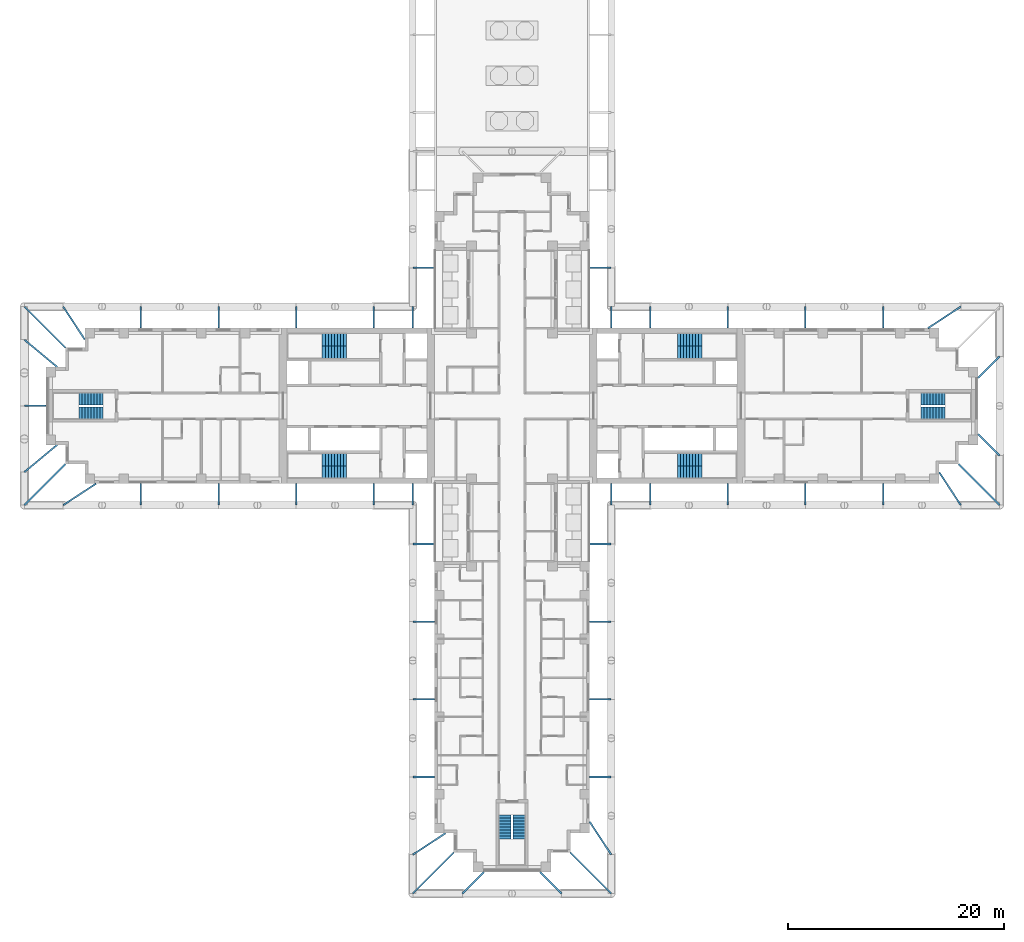
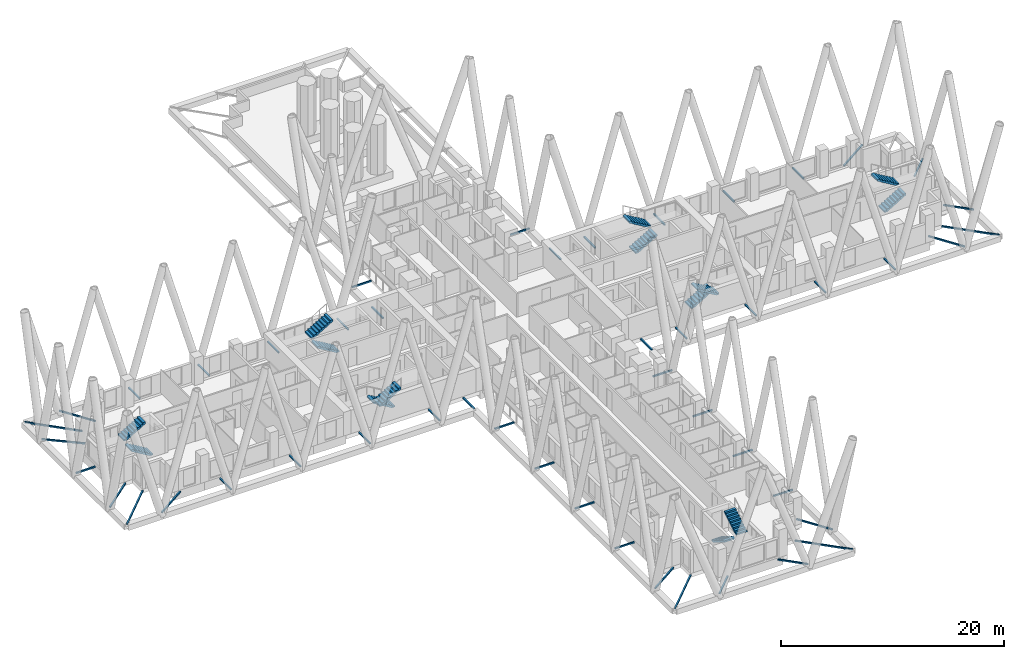
# One storey, part 13 of 16: 48 discrete accessories, 14 stair flights, 7 elements without a shape of their own.
"""IFC4 building model written with IfcOpenShell, lengths in metres."""

from ifc_helpers import new_model, si_unit, direction, frame, origin, origin_2d, place, context, subcontext, project, spatial, polyline, hollow_rectangle, outline, extrude, material, type_object, element, aggregate, save


model = new_model("IFC4")

# Units and contexts
model_context = context("Model", 3, precision=1e-05, world=origin(), true_north=direction((0.0, 1.0)))
body_context = subcontext(model_context, "Body", "Model", "MODEL_VIEW")
ifc_project = project(units=[si_unit("LENGTHUNIT", "METRE"), si_unit("AREAUNIT", "SQUARE_METRE"), si_unit("VOLUMEUNIT", "CUBIC_METRE"), si_unit("PLANEANGLEUNIT", "RADIAN"), si_unit("MASSUNIT", "GRAM", prefix="KILO")], contexts=[model_context])

# Site, building, storey
site_placement = place(None, origin())
site = spatial("IfcSite", under=ifc_project, at=site_placement, CompositionType="ELEMENT")
building_placement = place(site_placement, origin())
building = spatial("IfcBuilding", under=site, at=building_placement, Name="Fustian Cross Tower", CompositionType="ELEMENT")
storey_placement = place(building_placement, frame((0.0, 0.0, 66.89990234375)))
storey = spatial("IfcBuildingStorey", under=building, at=storey_placement, Name="L20", CompositionType="ELEMENT", Elevation=66.89990234375)

# Stair, stair flights
ifc_material_1 = material(Name="Concrete C50/60", Category="concrete")
stair_type_1 = type_object("IfcStairType", Name="STAIR 1100 HALF TURN", PredefinedType="HALF_TURN_STAIR", material=ifc_material_1)
stair_1_placement = place(storey_placement, origin())
stair_1 = element("IfcStair", 1, at=stair_1_placement, inside=storey, type_object=stair_type_1, Name="Stair ST6", PredefinedType="HALF_TURN_STAIR")
ifc_material_2 = material(Name="Concrete C50/60", Category="concrete")
stair_flight_type_1 = type_object("IfcStairFlightType", Name="STAIR FLIGHT 1100", PredefinedType="STRAIGHT", material=ifc_material_2)
stair_flight_1_placement = place(storey_placement, frame((-0.64990234375, -37.89990234375, 0.0), z_axis=(0.0, 0.0, 1.0), x_axis=(0.0, -1.0, 0.0)))
stair_flight_1 = element("IfcStairFlight", 2, at=stair_flight_1_placement, type_object=stair_flight_type_1, Name="ST6 flight 1", NumberOfRisers=9, NumberOfTreads=8, PredefinedType="STRAIGHT", RiserHeight=0.166666667, TreadLength=0.28, context=body_context, shape_type="SweptSolid", body=[
    extrude(outline(polyline([(0.0, 0.0), (0.0, 0.166748046875), (0.280029296875, 0.166748046875), (0.280029296875, 0.333251953125), (0.56005859375, 0.333251953125), (0.56005859375, 0.5), (0.840087890625, 0.5), (0.840087890625, 0.666748046875), (1.1201171875, 0.666748046875), (1.1201171875, 0.833251953125), (1.39990234375, 0.833251953125), (1.39990234375, 1.0), (1.679931640625, 1.0), (1.679931640625, 1.166748046875), (1.9599609375, 1.166748046875), (1.9599609375, 1.333251953125), (2.239990234375, 1.333251953125), (2.239990234375, 1.5), (2.239990234375, 1.158935546875), (0.29296875, 0.0), (0.0, 0.0)])), frame((0.0, 0.550048828125, 0.0), z_axis=(0.0, -1.0, 0.0), x_axis=(1.0, 0.0, 0.0)), (0.0, 0.0, 1.0), 1.10009765625),
])
stair_flight_2_placement = place(storey_placement, frame((0.64990234375, -40.139892578125, 1.5), z_axis=(0.0, 0.0, 1.0), x_axis=(0.0, 1.0, 0.0)))
stair_flight_2 = element("IfcStairFlight", 3, at=stair_flight_2_placement, type_object=stair_flight_type_1, Name="ST6 flight 2", NumberOfRisers=9, NumberOfTreads=8, PredefinedType="STRAIGHT", RiserHeight=0.166666667, TreadLength=0.28, context=body_context, shape_type="SweptSolid", body=[
    extrude(outline(polyline([(0.0, 0.0), (0.0, 0.166748046875), (0.280029296875, 0.166748046875), (0.280029296875, 0.333251953125), (0.56005859375, 0.333251953125), (0.56005859375, 0.5), (0.840087890625, 0.5), (0.840087890625, 0.666748046875), (1.1201171875, 0.666748046875), (1.1201171875, 0.833251953125), (1.39990234375, 0.833251953125), (1.39990234375, 1.0), (1.679931640625, 1.0), (1.679931640625, 1.166748046875), (1.9599609375, 1.166748046875), (1.9599609375, 1.333251953125), (2.239990234375, 1.333251953125), (2.239990234375, 1.5), (2.239990234375, 1.158935546875), (0.29296875, 0.0), (0.0, 0.0)])), frame((0.0, 0.550048828125, 0.0), z_axis=(0.0, -1.0, 0.0), x_axis=(1.0, 0.0, 0.0)), (0.0, 0.0, 1.0), 1.10009765625),
])
aggregate(stair_1, [stair_flight_1, stair_flight_2])

stair_2_placement = place(storey_placement, origin())
stair_2 = element("IfcStair", 4, at=stair_2_placement, inside=storey, type_object=stair_type_1, Name="Stair ST8", PredefinedType="HALF_TURN_STAIR")
stair_flight_3_placement = place(storey_placement, frame((37.89990234375, -0.64990234375, 0.0), z_axis=(0.0, 0.0, 1.0), x_axis=(1.0, 0.0, 0.0)))
stair_flight_3 = element("IfcStairFlight", 5, at=stair_flight_3_placement, type_object=stair_flight_type_1, Name="ST8 flight 1", NumberOfRisers=9, NumberOfTreads=8, PredefinedType="STRAIGHT", RiserHeight=0.166666667, TreadLength=0.28, context=body_context, shape_type="SweptSolid", body=[
    extrude(outline(polyline([(0.0, 0.0), (0.0, 0.166748046875), (0.280029296875, 0.166748046875), (0.280029296875, 0.333251953125), (0.56005859375, 0.333251953125), (0.56005859375, 0.5), (0.840087890625, 0.5), (0.840087890625, 0.666748046875), (1.1201171875, 0.666748046875), (1.1201171875, 0.833251953125), (1.39990234375, 0.833251953125), (1.39990234375, 1.0), (1.679931640625, 1.0), (1.679931640625, 1.166748046875), (1.9599609375, 1.166748046875), (1.9599609375, 1.333251953125), (2.239990234375, 1.333251953125), (2.239990234375, 1.5), (2.239990234375, 1.158935546875), (0.29296875, 0.0), (0.0, 0.0)])), frame((0.0, 0.550048828125, 0.0), z_axis=(0.0, -1.0, 0.0), x_axis=(1.0, 0.0, 0.0)), (0.0, 0.0, 1.0), 1.10009765625),
])
stair_flight_4_placement = place(storey_placement, frame((40.139892578125, 0.64990234375, 1.5), z_axis=(0.0, 0.0, 1.0), x_axis=(-1.0, 0.0, 0.0)))
stair_flight_4 = element("IfcStairFlight", 6, at=stair_flight_4_placement, type_object=stair_flight_type_1, Name="ST8 flight 2", NumberOfRisers=9, NumberOfTreads=8, PredefinedType="STRAIGHT", RiserHeight=0.166666667, TreadLength=0.28, context=body_context, shape_type="SweptSolid", body=[
    extrude(outline(polyline([(0.0, 0.0), (0.0, 0.166748046875), (0.280029296875, 0.166748046875), (0.280029296875, 0.333251953125), (0.56005859375, 0.333251953125), (0.56005859375, 0.5), (0.840087890625, 0.5), (0.840087890625, 0.666748046875), (1.1201171875, 0.666748046875), (1.1201171875, 0.833251953125), (1.39990234375, 0.833251953125), (1.39990234375, 1.0), (1.679931640625, 1.0), (1.679931640625, 1.166748046875), (1.9599609375, 1.166748046875), (1.9599609375, 1.333251953125), (2.239990234375, 1.333251953125), (2.239990234375, 1.5), (2.239990234375, 1.158935546875), (0.29296875, 0.0), (0.0, 0.0)])), frame((0.0, 0.550048828125, 0.0), z_axis=(0.0, -1.0, 0.0), x_axis=(1.0, 0.0, 0.0)), (0.0, 0.0, 1.0), 1.10009765625),
])
aggregate(stair_2, [stair_flight_3, stair_flight_4])

stair_3_placement = place(storey_placement, origin())
stair_3 = element("IfcStair", 7, at=stair_3_placement, inside=storey, type_object=stair_type_1, Name="Stair ST9", PredefinedType="HALF_TURN_STAIR")
stair_flight_5_placement = place(storey_placement, frame((-37.89990234375, -0.64990234375, 0.0), z_axis=(0.0, 0.0, 1.0), x_axis=(-1.0, 0.0, 0.0)))
stair_flight_5 = element("IfcStairFlight", 8, at=stair_flight_5_placement, type_object=stair_flight_type_1, Name="ST9 flight 1", NumberOfRisers=9, NumberOfTreads=8, PredefinedType="STRAIGHT", RiserHeight=0.166666667, TreadLength=0.28, context=body_context, shape_type="SweptSolid", body=[
    extrude(outline(polyline([(0.0, 0.0), (0.0, 0.166748046875), (0.280029296875, 0.166748046875), (0.280029296875, 0.333251953125), (0.56005859375, 0.333251953125), (0.56005859375, 0.5), (0.840087890625, 0.5), (0.840087890625, 0.666748046875), (1.1201171875, 0.666748046875), (1.1201171875, 0.833251953125), (1.39990234375, 0.833251953125), (1.39990234375, 1.0), (1.679931640625, 1.0), (1.679931640625, 1.166748046875), (1.9599609375, 1.166748046875), (1.9599609375, 1.333251953125), (2.239990234375, 1.333251953125), (2.239990234375, 1.5), (2.239990234375, 1.158935546875), (0.29296875, 0.0), (0.0, 0.0)])), frame((0.0, 0.550048828125, 0.0), z_axis=(0.0, -1.0, 0.0), x_axis=(1.0, 0.0, 0.0)), (0.0, 0.0, 1.0), 1.10009765625),
])
stair_flight_6_placement = place(storey_placement, frame((-40.139892578125, 0.64990234375, 1.5), z_axis=(0.0, 0.0, 1.0), x_axis=(1.0, 0.0, 0.0)))
stair_flight_6 = element("IfcStairFlight", 9, at=stair_flight_6_placement, type_object=stair_flight_type_1, Name="ST9 flight 2", NumberOfRisers=9, NumberOfTreads=8, PredefinedType="STRAIGHT", RiserHeight=0.166666667, TreadLength=0.28, context=body_context, shape_type="SweptSolid", body=[
    extrude(outline(polyline([(0.0, 0.0), (0.0, 0.166748046875), (0.280029296875, 0.166748046875), (0.280029296875, 0.333251953125), (0.56005859375, 0.333251953125), (0.56005859375, 0.5), (0.840087890625, 0.5), (0.840087890625, 0.666748046875), (1.1201171875, 0.666748046875), (1.1201171875, 0.833251953125), (1.39990234375, 0.833251953125), (1.39990234375, 1.0), (1.679931640625, 1.0), (1.679931640625, 1.166748046875), (1.9599609375, 1.166748046875), (1.9599609375, 1.333251953125), (2.239990234375, 1.333251953125), (2.239990234375, 1.5), (2.239990234375, 1.158935546875), (0.29296875, 0.0), (0.0, 0.0)])), frame((0.0, 0.550048828125, 0.0), z_axis=(0.0, -1.0, 0.0), x_axis=(1.0, 0.0, 0.0)), (0.0, 0.0, 1.0), 1.10009765625),
])
aggregate(stair_3, [stair_flight_5, stair_flight_6])

ifc_material_3 = material(Name="Concrete C50/60", Category="concrete")
stair_type_2 = type_object("IfcStairType", Name="STAIR 1150 HALF TURN", PredefinedType="HALF_TURN_STAIR", material=ifc_material_3)
stair_4_placement = place(storey_placement, origin())
stair_4 = element("IfcStair", 10, at=stair_4_placement, inside=storey, type_object=stair_type_2, Name="Stair ST1", PredefinedType="HALF_TURN_STAIR")
ifc_material_4 = material(Name="Concrete C50/60", Category="concrete")
stair_flight_type_2 = type_object("IfcStairFlightType", Name="STAIR FLIGHT 1150", PredefinedType="STRAIGHT", material=ifc_material_4)
stair_flight_7_placement = place(storey_placement, frame((15.35009765625, 4.97509765625, 0.0), z_axis=(0.0, 0.0, 1.0), x_axis=(1.0, 0.0, 0.0)))
stair_flight_7 = element("IfcStairFlight", 11, at=stair_flight_7_placement, type_object=stair_flight_type_2, Name="ST1 flight 1", NumberOfRisers=9, NumberOfTreads=8, PredefinedType="STRAIGHT", RiserHeight=0.166666667, TreadLength=0.28, context=body_context, shape_type="SweptSolid", body=[
    extrude(outline(polyline([(0.0, 0.0), (0.0, 0.166748046875), (0.280029296875, 0.166748046875), (0.280029296875, 0.333251953125), (0.56005859375, 0.333251953125), (0.56005859375, 0.5), (0.840087890625, 0.5), (0.840087890625, 0.666748046875), (1.1201171875, 0.666748046875), (1.1201171875, 0.833251953125), (1.39990234375, 0.833251953125), (1.39990234375, 1.0), (1.679931640625, 1.0), (1.679931640625, 1.166748046875), (1.9599609375, 1.166748046875), (1.9599609375, 1.333251953125), (2.239990234375, 1.333251953125), (2.239990234375, 1.5), (2.239990234375, 1.158935546875), (0.29296875, 0.0), (0.0, 0.0)])), frame((0.0, 0.574951171875, 0.0), z_axis=(0.0, -1.0, 0.0), x_axis=(1.0, 0.0, 0.0)), (0.0, 0.0, 1.0), 1.14990234375),
])
stair_flight_8_placement = place(storey_placement, frame((17.590087890625, 6.125, 1.5), z_axis=(0.0, 0.0, 1.0), x_axis=(-1.0, 0.0, 0.0)))
stair_flight_8 = element("IfcStairFlight", 12, at=stair_flight_8_placement, type_object=stair_flight_type_2, Name="ST1 flight 2", NumberOfRisers=9, NumberOfTreads=8, PredefinedType="STRAIGHT", RiserHeight=0.166666667, TreadLength=0.28, context=body_context, shape_type="SweptSolid", body=[
    extrude(outline(polyline([(0.0, 0.0), (0.0, 0.166748046875), (0.280029296875, 0.166748046875), (0.280029296875, 0.333251953125), (0.56005859375, 0.333251953125), (0.56005859375, 0.5), (0.840087890625, 0.5), (0.840087890625, 0.666748046875), (1.1201171875, 0.666748046875), (1.1201171875, 0.833251953125), (1.39990234375, 0.833251953125), (1.39990234375, 1.0), (1.679931640625, 1.0), (1.679931640625, 1.166748046875), (1.9599609375, 1.166748046875), (1.9599609375, 1.333251953125), (2.239990234375, 1.333251953125), (2.239990234375, 1.5), (2.239990234375, 1.158935546875), (0.29296875, 0.0), (0.0, 0.0)])), frame((0.0, 0.574951171875, 0.0), z_axis=(0.0, -1.0, 0.0), x_axis=(1.0, 0.0, 0.0)), (0.0, 0.0, 1.0), 1.14990234375),
])
aggregate(stair_4, [stair_flight_7, stair_flight_8])

stair_5_placement = place(storey_placement, origin())
stair_5 = element("IfcStair", 13, at=stair_5_placement, inside=storey, type_object=stair_type_2, Name="Stair ST2", PredefinedType="HALF_TURN_STAIR")
stair_flight_9_placement = place(storey_placement, frame((15.35009765625, -4.97509765625, 0.0), z_axis=(0.0, 0.0, 1.0), x_axis=(1.0, 0.0, 0.0)))
stair_flight_9 = element("IfcStairFlight", 14, at=stair_flight_9_placement, type_object=stair_flight_type_2, Name="ST2 flight 1", NumberOfRisers=9, NumberOfTreads=8, PredefinedType="STRAIGHT", RiserHeight=0.166666667, TreadLength=0.28, context=body_context, shape_type="SweptSolid", body=[
    extrude(outline(polyline([(0.0, 0.0), (0.0, 0.166748046875), (0.280029296875, 0.166748046875), (0.280029296875, 0.333251953125), (0.56005859375, 0.333251953125), (0.56005859375, 0.5), (0.840087890625, 0.5), (0.840087890625, 0.666748046875), (1.1201171875, 0.666748046875), (1.1201171875, 0.833251953125), (1.39990234375, 0.833251953125), (1.39990234375, 1.0), (1.679931640625, 1.0), (1.679931640625, 1.166748046875), (1.9599609375, 1.166748046875), (1.9599609375, 1.333251953125), (2.239990234375, 1.333251953125), (2.239990234375, 1.5), (2.239990234375, 1.158935546875), (0.29296875, 0.0), (0.0, 0.0)])), frame((0.0, 0.574951171875, 0.0), z_axis=(0.0, -1.0, 0.0), x_axis=(1.0, 0.0, 0.0)), (0.0, 0.0, 1.0), 1.14990234375),
])
stair_flight_10_placement = place(storey_placement, frame((17.590087890625, -6.125, 1.5), z_axis=(0.0, 0.0, 1.0), x_axis=(-1.0, 0.0, 0.0)))
stair_flight_10 = element("IfcStairFlight", 15, at=stair_flight_10_placement, type_object=stair_flight_type_2, Name="ST2 flight 2", NumberOfRisers=9, NumberOfTreads=8, PredefinedType="STRAIGHT", RiserHeight=0.166666667, TreadLength=0.28, context=body_context, shape_type="SweptSolid", body=[
    extrude(outline(polyline([(0.0, 0.0), (0.0, 0.166748046875), (0.280029296875, 0.166748046875), (0.280029296875, 0.333251953125), (0.56005859375, 0.333251953125), (0.56005859375, 0.5), (0.840087890625, 0.5), (0.840087890625, 0.666748046875), (1.1201171875, 0.666748046875), (1.1201171875, 0.833251953125), (1.39990234375, 0.833251953125), (1.39990234375, 1.0), (1.679931640625, 1.0), (1.679931640625, 1.166748046875), (1.9599609375, 1.166748046875), (1.9599609375, 1.333251953125), (2.239990234375, 1.333251953125), (2.239990234375, 1.5), (2.239990234375, 1.158935546875), (0.29296875, 0.0), (0.0, 0.0)])), frame((0.0, 0.574951171875, 0.0), z_axis=(0.0, -1.0, 0.0), x_axis=(1.0, 0.0, 0.0)), (0.0, 0.0, 1.0), 1.14990234375),
])
aggregate(stair_5, [stair_flight_9, stair_flight_10])

stair_6_placement = place(storey_placement, origin())
stair_6 = element("IfcStair", 16, at=stair_6_placement, inside=storey, type_object=stair_type_2, Name="Stair ST3", PredefinedType="HALF_TURN_STAIR")
stair_flight_11_placement = place(storey_placement, frame((-15.35009765625, 4.97509765625, 0.0), z_axis=(0.0, 0.0, 1.0), x_axis=(-1.0, 0.0, 0.0)))
stair_flight_11 = element("IfcStairFlight", 17, at=stair_flight_11_placement, type_object=stair_flight_type_2, Name="ST3 flight 1", NumberOfRisers=9, NumberOfTreads=8, PredefinedType="STRAIGHT", RiserHeight=0.166666667, TreadLength=0.28, context=body_context, shape_type="SweptSolid", body=[
    extrude(outline(polyline([(0.0, 0.0), (0.0, 0.166748046875), (0.280029296875, 0.166748046875), (0.280029296875, 0.333251953125), (0.56005859375, 0.333251953125), (0.56005859375, 0.5), (0.840087890625, 0.5), (0.840087890625, 0.666748046875), (1.1201171875, 0.666748046875), (1.1201171875, 0.833251953125), (1.39990234375, 0.833251953125), (1.39990234375, 1.0), (1.679931640625, 1.0), (1.679931640625, 1.166748046875), (1.9599609375, 1.166748046875), (1.9599609375, 1.333251953125), (2.239990234375, 1.333251953125), (2.239990234375, 1.5), (2.239990234375, 1.158935546875), (0.29296875, 0.0), (0.0, 0.0)])), frame((0.0, 0.574951171875, 0.0), z_axis=(0.0, -1.0, 0.0), x_axis=(1.0, 0.0, 0.0)), (0.0, 0.0, 1.0), 1.14990234375),
])
stair_flight_12_placement = place(storey_placement, frame((-17.590087890625, 6.125, 1.5), z_axis=(0.0, 0.0, 1.0), x_axis=(1.0, 0.0, 0.0)))
stair_flight_12 = element("IfcStairFlight", 18, at=stair_flight_12_placement, type_object=stair_flight_type_2, Name="ST3 flight 2", NumberOfRisers=9, NumberOfTreads=8, PredefinedType="STRAIGHT", RiserHeight=0.166666667, TreadLength=0.28, context=body_context, shape_type="SweptSolid", body=[
    extrude(outline(polyline([(0.0, 0.0), (0.0, 0.166748046875), (0.280029296875, 0.166748046875), (0.280029296875, 0.333251953125), (0.56005859375, 0.333251953125), (0.56005859375, 0.5), (0.840087890625, 0.5), (0.840087890625, 0.666748046875), (1.1201171875, 0.666748046875), (1.1201171875, 0.833251953125), (1.39990234375, 0.833251953125), (1.39990234375, 1.0), (1.679931640625, 1.0), (1.679931640625, 1.166748046875), (1.9599609375, 1.166748046875), (1.9599609375, 1.333251953125), (2.239990234375, 1.333251953125), (2.239990234375, 1.5), (2.239990234375, 1.158935546875), (0.29296875, 0.0), (0.0, 0.0)])), frame((0.0, 0.574951171875, 0.0), z_axis=(0.0, -1.0, 0.0), x_axis=(1.0, 0.0, 0.0)), (0.0, 0.0, 1.0), 1.14990234375),
])
aggregate(stair_6, [stair_flight_11, stair_flight_12])

stair_7_placement = place(storey_placement, origin())
stair_7 = element("IfcStair", 19, at=stair_7_placement, inside=storey, type_object=stair_type_2, Name="Stair ST4", PredefinedType="HALF_TURN_STAIR")
stair_flight_13_placement = place(storey_placement, frame((-15.35009765625, -4.97509765625, 0.0), z_axis=(0.0, 0.0, 1.0), x_axis=(-1.0, 0.0, 0.0)))
stair_flight_13 = element("IfcStairFlight", 20, at=stair_flight_13_placement, type_object=stair_flight_type_2, Name="ST4 flight 1", NumberOfRisers=9, NumberOfTreads=8, PredefinedType="STRAIGHT", RiserHeight=0.166666667, TreadLength=0.28, context=body_context, shape_type="SweptSolid", body=[
    extrude(outline(polyline([(0.0, 0.0), (0.0, 0.166748046875), (0.280029296875, 0.166748046875), (0.280029296875, 0.333251953125), (0.56005859375, 0.333251953125), (0.56005859375, 0.5), (0.840087890625, 0.5), (0.840087890625, 0.666748046875), (1.1201171875, 0.666748046875), (1.1201171875, 0.833251953125), (1.39990234375, 0.833251953125), (1.39990234375, 1.0), (1.679931640625, 1.0), (1.679931640625, 1.166748046875), (1.9599609375, 1.166748046875), (1.9599609375, 1.333251953125), (2.239990234375, 1.333251953125), (2.239990234375, 1.5), (2.239990234375, 1.158935546875), (0.29296875, 0.0), (0.0, 0.0)])), frame((0.0, 0.574951171875, 0.0), z_axis=(0.0, -1.0, 0.0), x_axis=(1.0, 0.0, 0.0)), (0.0, 0.0, 1.0), 1.14990234375),
])
stair_flight_14_placement = place(storey_placement, frame((-17.590087890625, -6.125, 1.5), z_axis=(0.0, 0.0, 1.0), x_axis=(1.0, 0.0, 0.0)))
stair_flight_14 = element("IfcStairFlight", 21, at=stair_flight_14_placement, type_object=stair_flight_type_2, Name="ST4 flight 2", NumberOfRisers=9, NumberOfTreads=8, PredefinedType="STRAIGHT", RiserHeight=0.166666667, TreadLength=0.28, context=body_context, shape_type="SweptSolid", body=[
    extrude(outline(polyline([(0.0, 0.0), (0.0, 0.166748046875), (0.280029296875, 0.166748046875), (0.280029296875, 0.333251953125), (0.56005859375, 0.333251953125), (0.56005859375, 0.5), (0.840087890625, 0.5), (0.840087890625, 0.666748046875), (1.1201171875, 0.666748046875), (1.1201171875, 0.833251953125), (1.39990234375, 0.833251953125), (1.39990234375, 1.0), (1.679931640625, 1.0), (1.679931640625, 1.166748046875), (1.9599609375, 1.166748046875), (1.9599609375, 1.333251953125), (2.239990234375, 1.333251953125), (2.239990234375, 1.5), (2.239990234375, 1.158935546875), (0.29296875, 0.0), (0.0, 0.0)])), frame((0.0, 0.574951171875, 0.0), z_axis=(0.0, -1.0, 0.0), x_axis=(1.0, 0.0, 0.0)), (0.0, 0.0, 1.0), 1.14990234375),
])
aggregate(stair_7, [stair_flight_13, stair_flight_14])

# Discrete accessories
ifc_material_5 = material(Name="Steel S355", Category="steel")
discrete_accessory_1_placement = place(storey_placement, frame((45.199951171875, 4.60009765625, -0.14990234375), z_axis=(-0.707106781187, -0.707106781187, 0.0), x_axis=(0.707106781187, -0.707106781187, 0.0)))
element("IfcDiscreteAccessory", 22, at=discrete_accessory_1_placement, inside=storey, material=ifc_material_5, Name="Diagrid node bracket L20-01", PredefinedType="BRACKET", context=body_context, shape_type="SweptSolid", body=[
    extrude(hollow_rectangle(XDim=0.14990234375, YDim=0.14990234375, WallThickness=0.010009765625, at=origin_2d()), origin(), (0.0, 0.0, 1.0), 2.828369140625),
])
discrete_accessory_2_placement = place(storey_placement, frame((41.60009765625, 9.199951171875, -0.14990234375), z_axis=(-0.836248392914, -0.548350823241, 0.0), x_axis=(0.548350823241, -0.836248392914, 0.0)))
element("IfcDiscreteAccessory", 23, at=discrete_accessory_2_placement, inside=storey, material=ifc_material_5, Name="Diagrid node bracket L20-03", PredefinedType="BRACKET", context=body_context, shape_type="SweptSolid", body=[
    extrude(hollow_rectangle(XDim=0.14990234375, YDim=0.14990234375, WallThickness=0.010009765625, at=origin_2d()), origin(), (0.0, 0.0, 1.0), 3.647216796875),
])
for number, where, z_axis, x_axis, name in (
    (24, (34.39990234375, 9.199951171875, -0.14990234375), (0.0, -1.0, 0.0), (1.0, 0.0, 0.0), "Diagrid node bracket L20-04"),
    (25, (27.199951171875, 9.199951171875, -0.14990234375), (0.0, -1.0, 0.0), (1.0, 0.0, 0.0), "Diagrid node bracket L20-05"),
    (26, (20.0, 9.199951171875, -0.14990234375), (0.0, -1.0, 0.0), (1.0, 0.0, 0.0), "Diagrid node bracket L20-06"),
    (27, (12.800048828125, 9.199951171875, -0.14990234375), (0.0, -1.0, 0.0), (1.0, 0.0, 0.0), "Diagrid node bracket L20-07"),
    (28, (9.199951171875, 9.199951171875, -0.14990234375), (0.0, -1.0, 0.0), (1.0, 0.0, 0.0), "Diagrid node bracket L20-08"),
    (29, (9.199951171875, 12.800048828125, -0.14990234375), (-1.0, 0.0, 0.0), (0.0, -1.0, 0.0), "Diagrid node bracket L20-09"),
    (30, (-9.199951171875, 12.800048828125, -0.14990234375), (1.0, 0.0, 0.0), (0.0, 1.0, 0.0), "Diagrid node bracket L20-26"),
    (31, (-9.199951171875, 9.199951171875, -0.14990234375), (0.0, -1.0, 0.0), (1.0, 0.0, 0.0), "Diagrid node bracket L20-27"),
    (32, (-12.800048828125, 9.199951171875, -0.14990234375), (0.0, -1.0, 0.0), (1.0, 0.0, 0.0), "Diagrid node bracket L20-28"),
    (33, (-20.0, 9.199951171875, -0.14990234375), (0.0, -1.0, 0.0), (1.0, 0.0, 0.0), "Diagrid node bracket L20-29"),
    (34, (-27.199951171875, 9.199951171875, -0.14990234375), (0.0, -1.0, 0.0), (1.0, 0.0, 0.0), "Diagrid node bracket L20-30"),
    (35, (-34.39990234375, 9.199951171875, -0.14990234375), (0.0, -1.0, 0.0), (1.0, 0.0, 0.0), "Diagrid node bracket L20-31"),
):
    element("IfcDiscreteAccessory", number, at=place(storey_placement, frame(where, z_axis=z_axis, x_axis=x_axis)), inside=storey, material=ifc_material_5, Name=name, PredefinedType="BRACKET", context=body_context, shape_type="SweptSolid", body=[
        extrude(hollow_rectangle(XDim=0.14990234375, YDim=0.14990234375, WallThickness=0.010009765625, at=origin_2d()), origin(), (0.0, 0.0, 1.0), 2.0),
    ])
discrete_accessory_3_placement = place(storey_placement, frame((-41.60009765625, 9.199951171875, -0.14990234375), z_axis=(0.548350823241, -0.836248392914, 0.0), x_axis=(0.836248392914, 0.548350823241, 0.0)))
element("IfcDiscreteAccessory", 36, at=discrete_accessory_3_placement, inside=storey, material=ifc_material_5, Name="Diagrid node bracket L20-32", PredefinedType="BRACKET", context=body_context, shape_type="SweptSolid", body=[
    extrude(hollow_rectangle(XDim=0.14990234375, YDim=0.14990234375, WallThickness=0.010009765625, at=origin_2d()), origin(), (0.0, 0.0, 1.0), 3.647216796875),
])
discrete_accessory_4_placement = place(storey_placement, frame((-45.199951171875, 9.199951171875, -0.14990234375), z_axis=(0.707106781187, -0.707106781187, 0.0), x_axis=(0.707106781187, 0.707106781187, 0.0)))
element("IfcDiscreteAccessory", 37, at=discrete_accessory_4_placement, inside=storey, material=ifc_material_5, Name="Diagrid node bracket L20-33", PredefinedType="BRACKET", context=body_context, shape_type="SweptSolid", body=[
    extrude(hollow_rectangle(XDim=0.14990234375, YDim=0.14990234375, WallThickness=0.010009765625, at=origin_2d()), origin(), (0.0, 0.0, 1.0), 5.3740234375),
])
discrete_accessory_5_placement = place(storey_placement, frame((-45.199951171875, 6.13330078125, -0.14990234375), z_axis=(0.769275112648, -0.638917679408, 0.0), x_axis=(0.638917679408, 0.769275112648, 0.0)))
element("IfcDiscreteAccessory", 38, at=discrete_accessory_5_placement, inside=storey, material=ifc_material_5, Name="Diagrid node bracket L20-34", PredefinedType="BRACKET", context=body_context, shape_type="SweptSolid", body=[
    extrude(hollow_rectangle(XDim=0.14990234375, YDim=0.14990234375, WallThickness=0.010009765625, at=origin_2d()), origin(), (0.0, 0.0, 1.0), 3.96484375),
])
discrete_accessory_6_placement = place(storey_placement, frame((-45.199951171875, 0.0, -0.14990234375), z_axis=(1.0, 0.0, 0.0), x_axis=(0.0, 1.0, 0.0)))
element("IfcDiscreteAccessory", 39, at=discrete_accessory_6_placement, inside=storey, material=ifc_material_5, Name="Diagrid node bracket L20-35", PredefinedType="BRACKET", context=body_context, shape_type="SweptSolid", body=[
    extrude(hollow_rectangle(XDim=0.14990234375, YDim=0.14990234375, WallThickness=0.010009765625, at=origin_2d()), origin(), (0.0, 0.0, 1.0), 2.0),
])
discrete_accessory_7_placement = place(storey_placement, frame((-45.199951171875, -6.13330078125, -0.14990234375), z_axis=(0.769275112648, 0.638917679408, 0.0), x_axis=(-0.638917679408, 0.769275112648, 0.0)))
element("IfcDiscreteAccessory", 40, at=discrete_accessory_7_placement, inside=storey, material=ifc_material_5, Name="Diagrid node bracket L20-36", PredefinedType="BRACKET", context=body_context, shape_type="SweptSolid", body=[
    extrude(hollow_rectangle(XDim=0.14990234375, YDim=0.14990234375, WallThickness=0.010009765625, at=origin_2d()), origin(), (0.0, 0.0, 1.0), 3.96484375),
])
discrete_accessory_8_placement = place(storey_placement, frame((-45.199951171875, -9.199951171875, -0.14990234375), z_axis=(0.707106781187, 0.707106781187, 0.0), x_axis=(-0.707106781187, 0.707106781187, 0.0)))
element("IfcDiscreteAccessory", 41, at=discrete_accessory_8_placement, inside=storey, material=ifc_material_5, Name="Diagrid node bracket L20-37", PredefinedType="BRACKET", context=body_context, shape_type="SweptSolid", body=[
    extrude(hollow_rectangle(XDim=0.14990234375, YDim=0.14990234375, WallThickness=0.010009765625, at=origin_2d()), origin(), (0.0, 0.0, 1.0), 5.3740234375),
])
discrete_accessory_9_placement = place(storey_placement, frame((-41.60009765625, -9.199951171875, -0.14990234375), z_axis=(0.836248392914, 0.548350823241, 0.0), x_axis=(-0.548350823241, 0.836248392914, 0.0)))
element("IfcDiscreteAccessory", 42, at=discrete_accessory_9_placement, inside=storey, material=ifc_material_5, Name="Diagrid node bracket L20-38", PredefinedType="BRACKET", context=body_context, shape_type="SweptSolid", body=[
    extrude(hollow_rectangle(XDim=0.14990234375, YDim=0.14990234375, WallThickness=0.010009765625, at=origin_2d()), origin(), (0.0, 0.0, 1.0), 3.647216796875),
])
for number, where, z_axis, x_axis, name in (
    (43, (-34.39990234375, -9.199951171875, -0.14990234375), (0.0, 1.0, 0.0), (-1.0, 0.0, 0.0), "Diagrid node bracket L20-39"),
    (44, (-27.199951171875, -9.199951171875, -0.14990234375), (0.0, 1.0, 0.0), (-1.0, 0.0, 0.0), "Diagrid node bracket L20-40"),
    (45, (-20.0, -9.199951171875, -0.14990234375), (0.0, 1.0, 0.0), (-1.0, 0.0, 0.0), "Diagrid node bracket L20-41"),
    (46, (-12.800048828125, -9.199951171875, -0.14990234375), (0.0, 1.0, 0.0), (-1.0, 0.0, 0.0), "Diagrid node bracket L20-42"),
    (47, (-9.199951171875, -9.199951171875, -0.14990234375), (0.0, 1.0, 0.0), (-1.0, 0.0, 0.0), "Diagrid node bracket L20-43"),
    (48, (-9.199951171875, -12.800048828125, -0.14990234375), (1.0, 0.0, 0.0), (0.0, 1.0, 0.0), "Diagrid node bracket L20-44"),
    (49, (-9.199951171875, -20.0, -0.14990234375), (1.0, 0.0, 0.0), (0.0, 1.0, 0.0), "Diagrid node bracket L20-45"),
    (50, (-9.199951171875, -27.199951171875, -0.14990234375), (1.0, 0.0, 0.0), (0.0, 1.0, 0.0), "Diagrid node bracket L20-46"),
    (51, (-9.199951171875, -34.39990234375, -0.14990234375), (1.0, 0.0, 0.0), (0.0, 1.0, 0.0), "Diagrid node bracket L20-47"),
):
    element("IfcDiscreteAccessory", number, at=place(storey_placement, frame(where, z_axis=z_axis, x_axis=x_axis)), inside=storey, material=ifc_material_5, Name=name, PredefinedType="BRACKET", context=body_context, shape_type="SweptSolid", body=[
        extrude(hollow_rectangle(XDim=0.14990234375, YDim=0.14990234375, WallThickness=0.010009765625, at=origin_2d()), origin(), (0.0, 0.0, 1.0), 2.0),
    ])
discrete_accessory_10_placement = place(storey_placement, frame((-9.199951171875, -41.60009765625, -0.14990234375), z_axis=(0.836248392914, 0.548350823241, 0.0), x_axis=(-0.548350823241, 0.836248392914, 0.0)))
element("IfcDiscreteAccessory", 52, at=discrete_accessory_10_placement, inside=storey, material=ifc_material_5, Name="Diagrid node bracket L20-48", PredefinedType="BRACKET", context=body_context, shape_type="SweptSolid", body=[
    extrude(hollow_rectangle(XDim=0.14990234375, YDim=0.14990234375, WallThickness=0.010009765625, at=origin_2d()), origin(), (0.0, 0.0, 1.0), 3.647216796875),
])
discrete_accessory_11_placement = place(storey_placement, frame((-9.199951171875, -45.199951171875, -0.14990234375), z_axis=(0.707106781187, 0.707106781187, 0.0), x_axis=(-0.707106781187, 0.707106781187, 0.0)))
element("IfcDiscreteAccessory", 53, at=discrete_accessory_11_placement, inside=storey, material=ifc_material_5, Name="Diagrid node bracket L20-49", PredefinedType="BRACKET", context=body_context, shape_type="SweptSolid", body=[
    extrude(hollow_rectangle(XDim=0.14990234375, YDim=0.14990234375, WallThickness=0.010009765625, at=origin_2d()), origin(), (0.0, 0.0, 1.0), 5.3740234375),
])
for number, where, z_axis, x_axis, name in (
    (54, (-4.60009765625, -45.199951171875, -0.14990234375), (0.707106781187, 0.707106781187, 0.0), (-0.707106781187, 0.707106781187, 0.0), "Diagrid node bracket L20-50"),
    (55, (4.60009765625, -45.199951171875, -0.14990234375), (-0.707106781187, 0.707106781187, 0.0), (-0.707106781187, -0.707106781187, 0.0), "Diagrid node bracket L20-51"),
):
    element("IfcDiscreteAccessory", number, at=place(storey_placement, frame(where, z_axis=z_axis, x_axis=x_axis)), inside=storey, material=ifc_material_5, Name=name, PredefinedType="BRACKET", context=body_context, shape_type="SweptSolid", body=[
        extrude(hollow_rectangle(XDim=0.14990234375, YDim=0.14990234375, WallThickness=0.010009765625, at=origin_2d()), origin(), (0.0, 0.0, 1.0), 2.828369140625),
    ])
discrete_accessory_12_placement = place(storey_placement, frame((9.199951171875, -45.199951171875, -0.14990234375), z_axis=(-0.707106781187, 0.707106781187, 0.0), x_axis=(-0.707106781187, -0.707106781187, 0.0)))
element("IfcDiscreteAccessory", 56, at=discrete_accessory_12_placement, inside=storey, material=ifc_material_5, Name="Diagrid node bracket L20-52", PredefinedType="BRACKET", context=body_context, shape_type="SweptSolid", body=[
    extrude(hollow_rectangle(XDim=0.14990234375, YDim=0.14990234375, WallThickness=0.010009765625, at=origin_2d()), origin(), (0.0, 0.0, 1.0), 5.3740234375),
])
discrete_accessory_13_placement = place(storey_placement, frame((9.199951171875, -41.60009765625, -0.14990234375), z_axis=(-0.548350823241, 0.836248392914, 0.0), x_axis=(-0.836248392914, -0.548350823241, 0.0)))
element("IfcDiscreteAccessory", 57, at=discrete_accessory_13_placement, inside=storey, material=ifc_material_5, Name="Diagrid node bracket L20-53", PredefinedType="BRACKET", context=body_context, shape_type="SweptSolid", body=[
    extrude(hollow_rectangle(XDim=0.14990234375, YDim=0.14990234375, WallThickness=0.010009765625, at=origin_2d()), origin(), (0.0, 0.0, 1.0), 3.647216796875),
])
for number, where, z_axis, x_axis, name in (
    (58, (9.199951171875, -34.39990234375, -0.14990234375), (-1.0, 0.0, 0.0), (0.0, -1.0, 0.0), "Diagrid node bracket L20-54"),
    (59, (9.199951171875, -27.199951171875, -0.14990234375), (-1.0, 0.0, 0.0), (0.0, -1.0, 0.0), "Diagrid node bracket L20-55"),
    (60, (9.199951171875, -20.0, -0.14990234375), (-1.0, 0.0, 0.0), (0.0, -1.0, 0.0), "Diagrid node bracket L20-56"),
    (61, (9.199951171875, -12.800048828125, -0.14990234375), (-1.0, 0.0, 0.0), (0.0, -1.0, 0.0), "Diagrid node bracket L20-57"),
    (62, (9.199951171875, -9.199951171875, -0.14990234375), (0.0, 1.0, 0.0), (-1.0, 0.0, 0.0), "Diagrid node bracket L20-58"),
    (63, (12.800048828125, -9.199951171875, -0.14990234375), (0.0, 1.0, 0.0), (-1.0, 0.0, 0.0), "Diagrid node bracket L20-59"),
    (64, (20.0, -9.199951171875, -0.14990234375), (0.0, 1.0, 0.0), (-1.0, 0.0, 0.0), "Diagrid node bracket L20-60"),
    (65, (27.199951171875, -9.199951171875, -0.14990234375), (0.0, 1.0, 0.0), (-1.0, 0.0, 0.0), "Diagrid node bracket L20-61"),
    (66, (34.39990234375, -9.199951171875, -0.14990234375), (0.0, 1.0, 0.0), (-1.0, 0.0, 0.0), "Diagrid node bracket L20-62"),
):
    element("IfcDiscreteAccessory", number, at=place(storey_placement, frame(where, z_axis=z_axis, x_axis=x_axis)), inside=storey, material=ifc_material_5, Name=name, PredefinedType="BRACKET", context=body_context, shape_type="SweptSolid", body=[
        extrude(hollow_rectangle(XDim=0.14990234375, YDim=0.14990234375, WallThickness=0.010009765625, at=origin_2d()), origin(), (0.0, 0.0, 1.0), 2.0),
    ])
discrete_accessory_14_placement = place(storey_placement, frame((41.60009765625, -9.199951171875, -0.14990234375), z_axis=(-0.548350823241, 0.836248392914, 0.0), x_axis=(-0.836248392914, -0.548350823241, 0.0)))
element("IfcDiscreteAccessory", 67, at=discrete_accessory_14_placement, inside=storey, material=ifc_material_5, Name="Diagrid node bracket L20-63", PredefinedType="BRACKET", context=body_context, shape_type="SweptSolid", body=[
    extrude(hollow_rectangle(XDim=0.14990234375, YDim=0.14990234375, WallThickness=0.010009765625, at=origin_2d()), origin(), (0.0, 0.0, 1.0), 3.647216796875),
])
discrete_accessory_15_placement = place(storey_placement, frame((45.199951171875, -9.199951171875, -0.14990234375), z_axis=(-0.707106781187, 0.707106781187, 0.0), x_axis=(-0.707106781187, -0.707106781187, 0.0)))
element("IfcDiscreteAccessory", 68, at=discrete_accessory_15_placement, inside=storey, material=ifc_material_5, Name="Diagrid node bracket L20-64", PredefinedType="BRACKET", context=body_context, shape_type="SweptSolid", body=[
    extrude(hollow_rectangle(XDim=0.14990234375, YDim=0.14990234375, WallThickness=0.010009765625, at=origin_2d()), origin(), (0.0, 0.0, 1.0), 5.3740234375),
])
discrete_accessory_16_placement = place(storey_placement, frame((45.199951171875, -4.60009765625, -0.14990234375), z_axis=(-0.707106781187, 0.707106781187, 0.0), x_axis=(-0.707106781187, -0.707106781187, 0.0)))
element("IfcDiscreteAccessory", 69, at=discrete_accessory_16_placement, inside=storey, material=ifc_material_5, Name="Diagrid node bracket L20-65", PredefinedType="BRACKET", context=body_context, shape_type="SweptSolid", body=[
    extrude(hollow_rectangle(XDim=0.14990234375, YDim=0.14990234375, WallThickness=0.010009765625, at=origin_2d()), origin(), (0.0, 0.0, 1.0), 2.828369140625),
])

save(model, "model.ifc")
